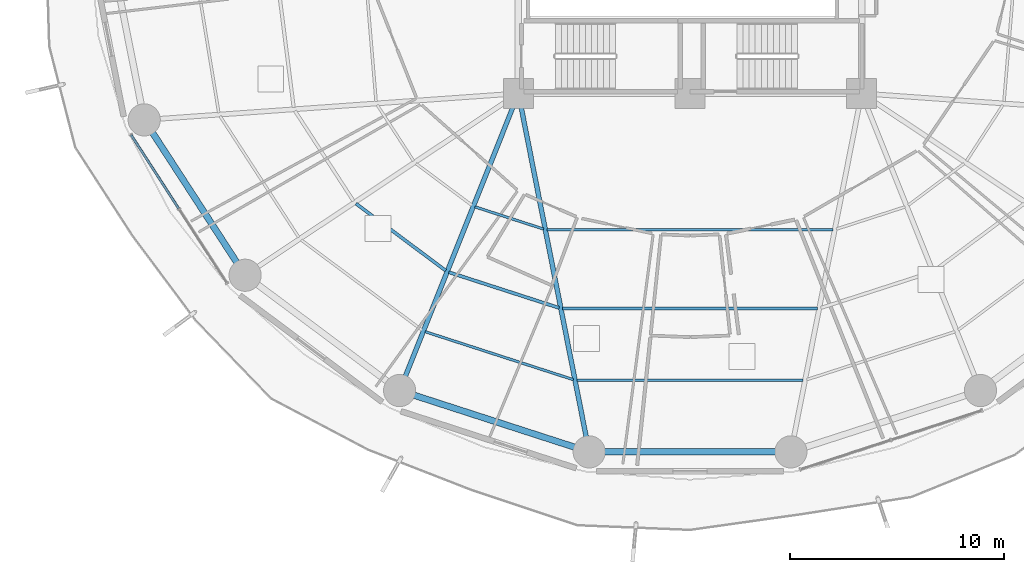
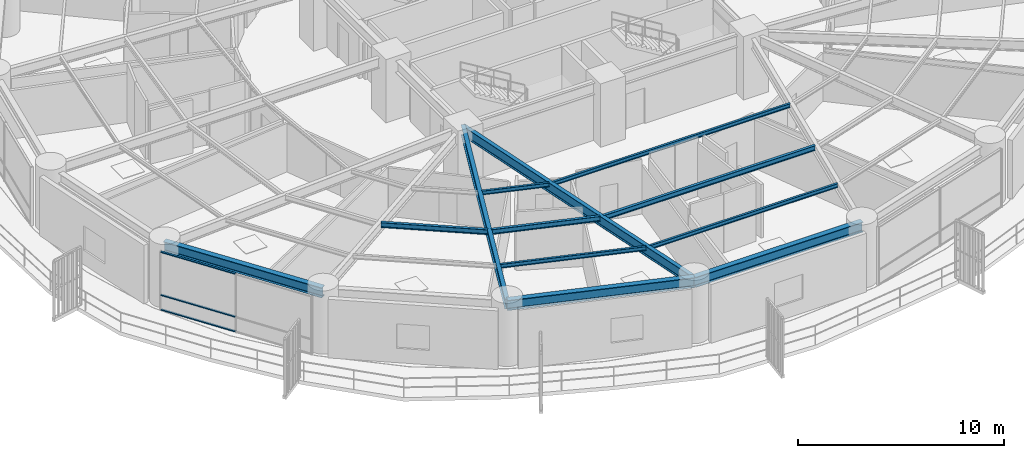
# One storey, part 3 of 32: 12 beams, 3 members, 1 element without a shape of its own.
"""IFC4 building model written with IfcOpenShell, lengths in metres."""

from ifc_helpers import new_model, si_unit, direction, frame, origin, origin_2d, place, context, subcontext, project, spatial, hollow_rectangle, i_section, extrude, material, layer, layer_set, material_profile, profile_set, type_object, element, aggregate, save


model = new_model("IFC4")

# Units and contexts
model_context = context("Model", 3, precision=1e-05, world=origin(), true_north=direction((0.0, 1.0)))
body_context = subcontext(model_context, "Body", "Model", "MODEL_VIEW")
ifc_project = project(units=[si_unit("LENGTHUNIT", "METRE"), si_unit("AREAUNIT", "SQUARE_METRE"), si_unit("VOLUMEUNIT", "CUBIC_METRE"), si_unit("PLANEANGLEUNIT", "RADIAN"), si_unit("MASSUNIT", "GRAM", prefix="KILO")], contexts=[model_context])

# Site, building, storey
site_placement = place(None, origin())
site = spatial("IfcSite", under=ifc_project, at=site_placement, CompositionType="ELEMENT")
building_placement = place(site_placement, origin())
building = spatial("IfcBuilding", under=site, at=building_placement, Name="Kelanora Arch Commons", CompositionType="ELEMENT")
storey_placement = place(building_placement, frame((0.0, 0.0, 48.75)))
storey = spatial("IfcBuildingStorey", under=building, at=storey_placement, Name="L12", CompositionType="ELEMENT", Elevation=48.75)

# Beams
ifc_material_1 = material(Name="Steel S355", Category="steel")
ifc_material_profile_1 = material_profile(ifc_material_1, i_section(OverallWidth=0.14990234375, OverallDepth=0.300048828125, WebThickness=0.007080078125, FlangeThickness=0.0107421875, FilletRadius=0.014892578125, at=origin_2d()), Name="IPE300")
ifc_profile_set_1 = profile_set([ifc_material_profile_1], Name="Steel S355")
beam_type_1 = type_object("IfcBeamType", Name="BM-JST-01", PredefinedType="JOIST", material=ifc_profile_set_1)
beam_1_placement = place(storey_placement, frame((58.42138671875, 45.8623046875, 3.340087890625), z_axis=(0.801478251559, -0.598023922831, 0.0), x_axis=(0.598023922831, 0.801478251559, 0.0)))
element("IfcBeam", 1, at=beam_1_placement, inside=storey, type_object=beam_type_1, Name="Secondary Chord Joist BJB-22 L12", PredefinedType="JOIST", context=body_context, shape_type="SweptSolid", body=[
    extrude(i_section(OverallWidth=0.14990234375, OverallDepth=0.300048828125, WebThickness=0.007080078125, FlangeThickness=0.0107421875, FilletRadius=0.014892578125, at=origin_2d()), origin(), (0.0, 0.0, 1.0), 5.223388671875),
])
beam_2_placement = place(storey_placement, frame((62.7568359375, 42.66162109375, 3.340087890625), z_axis=(0.951412209627, -0.307920131482, 0.0), x_axis=(0.307920131482, 0.951412209627, 0.0)))
element("IfcBeam", 2, at=beam_2_placement, inside=storey, type_object=beam_type_1, Name="Secondary Chord Joist BJB-24 L12", PredefinedType="JOIST", context=body_context, shape_type="SweptSolid", body=[
    extrude(i_section(OverallWidth=0.14990234375, OverallDepth=0.300048828125, WebThickness=0.007080078125, FlangeThickness=0.0107421875, FilletRadius=0.014892578125, at=origin_2d()), origin(), (0.0, 0.0, 1.0), 5.4033203125),
])
beam_3_placement = place(storey_placement, frame((68.063720703125, 40.971435546875, 3.340087890625), z_axis=(1.0, 0.0, 0.0), x_axis=(0.0, 1.0, 0.0)))
element("IfcBeam", 3, at=beam_3_placement, inside=storey, type_object=beam_type_1, Name="Secondary Chord Joist BJB-26 L12", PredefinedType="JOIST", context=body_context, shape_type="SweptSolid", body=[
    extrude(i_section(OverallWidth=0.14990234375, OverallDepth=0.300048828125, WebThickness=0.007080078125, FlangeThickness=0.0107421875, FilletRadius=0.014892578125, at=origin_2d()), origin(), (0.0, 0.0, 1.0), 11.87255859375),
])
ifc_material_profile_2 = material_profile(ifc_material_1, i_section(OverallWidth=0.1201171875, OverallDepth=0.239990234375, WebThickness=0.006103515625, FlangeThickness=0.009765625, FilletRadius=0.014892578125, at=origin_2d()), Name="IPE240")
ifc_profile_set_2 = profile_set([ifc_material_profile_2], Name="Steel S355")
beam_type_2 = type_object("IfcBeamType", Name="BM-JST-02", PredefinedType="JOIST", material=ifc_profile_set_2)
beam_4_placement = place(storey_placement, frame((63.9755859375, 45.709228515625, 3.3701171875), z_axis=(0.951422608074, -0.30788800049, 0.0), x_axis=(0.30788800049, 0.951422608074, 0.0)))
element("IfcBeam", 4, at=beam_4_placement, inside=storey, type_object=beam_type_2, Name="Secondary Chord Joist BJA-24 L12", PredefinedType="JOIST", context=body_context, shape_type="SweptSolid", body=[
    extrude(i_section(OverallWidth=0.1201171875, OverallDepth=0.239990234375, WebThickness=0.006103515625, FlangeThickness=0.009765625, FilletRadius=0.014892578125, at=origin_2d()), origin(), (0.0, 0.0, 1.0), 3.359619140625),
])
beam_5_placement = place(storey_placement, frame((61.64892578125, 39.890625, 3.3701171875), z_axis=(0.951410915705, -0.307924129418, 0.0), x_axis=(0.307924129418, 0.951410915705, 0.0)))
element("IfcBeam", 5, at=beam_5_placement, inside=storey, type_object=beam_type_2, Name="Secondary Chord Joist BJC-24 L12", PredefinedType="JOIST", context=body_context, shape_type="SweptSolid", body=[
    extrude(i_section(OverallWidth=0.1201171875, OverallDepth=0.239990234375, WebThickness=0.006103515625, FlangeThickness=0.009765625, FilletRadius=0.014892578125, at=origin_2d()), origin(), (0.0, 0.0, 1.0), 7.260986328125),
])
beam_6_placement = place(storey_placement, frame((67.338134765625, 44.648681640625, 3.3701171875), z_axis=(1.0, 0.0, 0.0), x_axis=(0.0, 1.0, 0.0)))
element("IfcBeam", 6, at=beam_6_placement, inside=storey, type_object=beam_type_2, Name="Secondary Chord Joist BJA-26 L12", PredefinedType="JOIST", context=body_context, shape_type="SweptSolid", body=[
    extrude(i_section(OverallWidth=0.1201171875, OverallDepth=0.239990234375, WebThickness=0.006103515625, FlangeThickness=0.009765625, FilletRadius=0.014892578125, at=origin_2d()), origin(), (0.0, 0.0, 1.0), 13.32373046875),
])
beam_7_placement = place(storey_placement, frame((68.72314453125, 37.628662109375, 3.3701171875), z_axis=(1.0, 0.0, 0.0), x_axis=(0.0, 1.0, 0.0)))
element("IfcBeam", 7, at=beam_7_placement, inside=storey, type_object=beam_type_2, Name="Secondary Chord Joist BJC-26 L12", PredefinedType="JOIST", context=body_context, shape_type="SweptSolid", body=[
    extrude(i_section(OverallWidth=0.1201171875, OverallDepth=0.239990234375, WebThickness=0.006103515625, FlangeThickness=0.009765625, FilletRadius=0.014892578125, at=origin_2d()), origin(), (0.0, 0.0, 1.0), 10.5537109375),
])
ifc_material_profile_3 = material_profile(ifc_material_1, i_section(OverallWidth=0.219970703125, OverallDepth=0.60009765625, WebThickness=0.011962890625, FlangeThickness=0.01904296875, FilletRadius=0.02392578125, at=origin_2d()), Name="IPE600")
ifc_profile_set_3 = profile_set([ifc_material_profile_3], Name="Steel S355")
beam_type_3 = type_object("IfcBeamType", Name="BM-RAD-Z1", PredefinedType="BEAM", material=ifc_profile_set_3)
beam_8_placement = place(storey_placement, frame((66.0, 51.0, 3.18994140625), z_axis=(-0.371300398117, -0.928512797089, 0.0), x_axis=(0.928512797089, -0.371300398117, 0.0)))
element("IfcBeam", 8, at=beam_8_placement, inside=storey, type_object=beam_type_3, Name="Radial Floor Girder BR-24 L12", PredefinedType="BEAM", context=body_context, shape_type="SweptSolid", body=[
    extrude(i_section(OverallWidth=0.219970703125, OverallDepth=0.60009765625, WebThickness=0.011962890625, FlangeThickness=0.01904296875, FilletRadius=0.02392578125, at=origin_2d()), origin(), (0.0, 0.0, 1.0), 14.920654296875),
])
beam_9_placement = place(storey_placement, frame((66.0, 51.0, 3.18994140625), z_axis=(0.19356352044, -0.981087745084, 0.0), x_axis=(0.981087745084, 0.19356352044, 0.0)))
element("IfcBeam", 9, at=beam_9_placement, inside=storey, type_object=beam_type_3, Name="Radial Floor Girder BR-26 L12", PredefinedType="BEAM", context=body_context, shape_type="SweptSolid", body=[
    extrude(i_section(OverallWidth=0.219970703125, OverallDepth=0.60009765625, WebThickness=0.011962890625, FlangeThickness=0.01904296875, FilletRadius=0.02392578125, at=origin_2d()), origin(), (0.0, 0.0, 1.0), 17.036376953125),
])
ifc_material_profile_4 = material_profile(ifc_material_1, i_section(OverallWidth=0.300048828125, OverallDepth=0.60009765625, WebThickness=0.015380859375, FlangeThickness=0.030029296875, FilletRadius=0.027099609375, at=origin_2d()), Name="HEB600")
ifc_profile_set_4 = profile_set([ifc_material_profile_4], Name="Steel S355")
beam_type_4 = type_object("IfcBeamType", Name="BM-SPN-Z1", PredefinedType="SPANDREL", material=ifc_profile_set_4)
beam_10_placement = place(storey_placement, frame((48.552978515625, 49.76416015625, 3.18994140625), z_axis=(0.544585813928, -0.838705127722, 0.0), x_axis=(0.838705127722, 0.544585813928, 0.0)))
element("IfcBeam", 10, at=beam_10_placement, inside=storey, type_object=beam_type_4, Name="Perimeter Spandrel Beam BS-20 L12", PredefinedType="SPANDREL", context=body_context, shape_type="SweptSolid", body=[
    extrude(i_section(OverallWidth=0.300048828125, OverallDepth=0.60009765625, WebThickness=0.015380859375, FlangeThickness=0.030029296875, FilletRadius=0.027099609375, at=origin_2d()), origin(), (0.0, 0.0, 1.0), 8.63525390625),
])
beam_11_placement = place(storey_placement, frame((60.4599609375, 37.14599609375, 3.18994140625), z_axis=(0.951417120402, -0.307904957748, 0.0), x_axis=(0.307904957748, 0.951417120402, 0.0)))
element("IfcBeam", 11, at=beam_11_placement, inside=storey, type_object=beam_type_4, Name="Perimeter Spandrel Beam BS-24 L12", PredefinedType="SPANDREL", context=body_context, shape_type="SweptSolid", body=[
    extrude(i_section(OverallWidth=0.300048828125, OverallDepth=0.60009765625, WebThickness=0.015380859375, FlangeThickness=0.030029296875, FilletRadius=0.027099609375, at=origin_2d()), origin(), (0.0, 0.0, 1.0), 9.288818359375),
])
beam_12_placement = place(storey_placement, frame((69.297607421875, 34.285888671875, 3.18994140625), z_axis=(1.0, 0.0, 0.0), x_axis=(0.0, 1.0, 0.0)))
element("IfcBeam", 12, at=beam_12_placement, inside=storey, type_object=beam_type_4, Name="Perimeter Spandrel Beam BS-26 L12", PredefinedType="SPANDREL", context=body_context, shape_type="SweptSolid", body=[
    extrude(i_section(OverallWidth=0.300048828125, OverallDepth=0.60009765625, WebThickness=0.015380859375, FlangeThickness=0.030029296875, FilletRadius=0.027099609375, at=origin_2d()), origin(), (0.0, 0.0, 1.0), 9.40478515625),
])

# Curtain wall, members
ifc_material_2 = material(Name="Terracotta ceramic-fritted low-E glass and aluminium", Category="masonry")
ifc_layer = layer(ifc_material_2, 0.159912109375)
ifc_layer_set = layer_set([ifc_layer], Name="Terracotta ceramic-fritted low-E glass and aluminium")
curtain_wall_type = type_object("IfcCurtainWallType", Name="CW-SYS-01", PredefinedType="NOTDEFINED", material=ifc_layer_set)
curtain_wall_placement = place(storey_placement, origin())
curtain_wall = element("IfcCurtainWall", 13, at=curtain_wall_placement, inside=storey, type_object=curtain_wall_type, Name="Unitised Curtain Wall L12-B10", PredefinedType="NOTDEFINED")
ifc_material_3 = material(Name="Powder-coated aluminium terracotta", Category="masonry")
ifc_material_profile_5 = material_profile(ifc_material_3, hollow_rectangle(XDim=0.1201171875, YDim=0.06005859375, WallThickness=0.0048828125, InnerFilletRadius=0.0048828125, OuterFilletRadius=0.010009765625, at=origin_2d()), Name="CWT120x60")
ifc_profile_set_5 = profile_set([ifc_material_profile_5], Name="Powder-coated aluminium terracotta")
member_type = type_object("IfcMemberType", Name="CWT-STD", PredefinedType="USERDEFINED", material=ifc_profile_set_5)
member_1_placement = place(storey_placement, frame((47.944091796875, 49.054443359375, 0.030029296875), z_axis=(0.542997414293, -0.839734367566, 0.0), x_axis=(0.839734367566, 0.542997414293, 0.0)))
member_1 = element("IfcMember", 14, at=member_1_placement, type_object=member_type, Name="CW-01 transom 1.1", ObjectType="TRANSOM", PredefinedType="USERDEFINED", context=body_context, shape_type="SweptSolid", body=[
    extrude(hollow_rectangle(XDim=0.1201171875, YDim=0.06005859375, WallThickness=0.0048828125, InnerFilletRadius=0.0048828125, OuterFilletRadius=0.010009765625, at=origin_2d()), origin(), (0.0, 0.0, 1.0), 4.067626953125),
])
member_2_placement = place(storey_placement, frame((47.944091796875, 49.054443359375, 0.89990234375), z_axis=(0.542997414293, -0.839734367566, 0.0), x_axis=(0.839734367566, 0.542997414293, 0.0)))
member_2 = element("IfcMember", 15, at=member_2_placement, type_object=member_type, Name="CW-01 transom 1.2", ObjectType="TRANSOM", PredefinedType="USERDEFINED", context=body_context, shape_type="SweptSolid", body=[
    extrude(hollow_rectangle(XDim=0.1201171875, YDim=0.06005859375, WallThickness=0.0048828125, InnerFilletRadius=0.0048828125, OuterFilletRadius=0.010009765625, at=origin_2d()), origin(), (0.0, 0.0, 1.0), 4.067626953125),
])
member_3_placement = place(storey_placement, frame((47.944091796875, 49.054443359375, 3.445068359375), z_axis=(0.542997414293, -0.839734367566, 0.0), x_axis=(0.839734367566, 0.542997414293, 0.0)))
member_3 = element("IfcMember", 16, at=member_3_placement, type_object=member_type, Name="CW-01 transom 1.3", ObjectType="TRANSOM", PredefinedType="USERDEFINED", context=body_context, shape_type="SweptSolid", body=[
    extrude(hollow_rectangle(XDim=0.1201171875, YDim=0.06005859375, WallThickness=0.0048828125, InnerFilletRadius=0.0048828125, OuterFilletRadius=0.010009765625, at=origin_2d()), origin(), (0.0, 0.0, 1.0), 4.067626953125),
])
aggregate(curtain_wall, [member_1, member_2, member_3])

save(model, "model.ifc")
